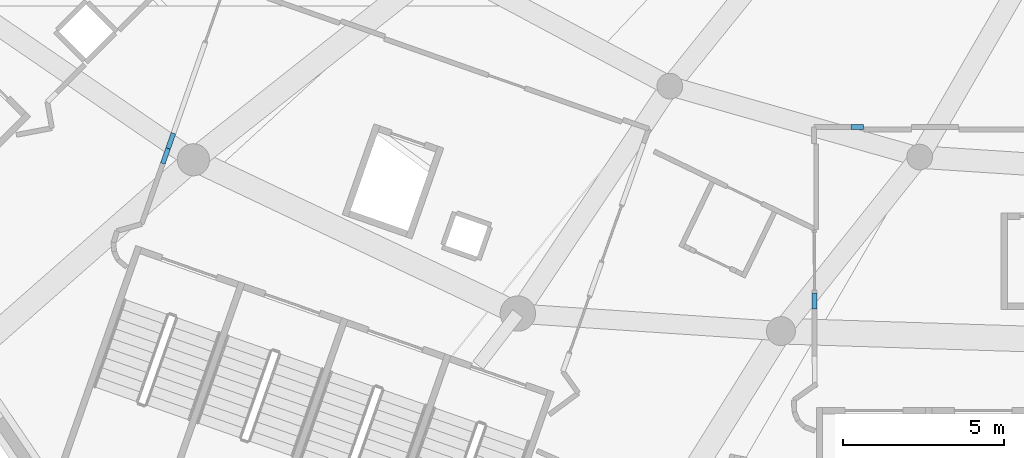
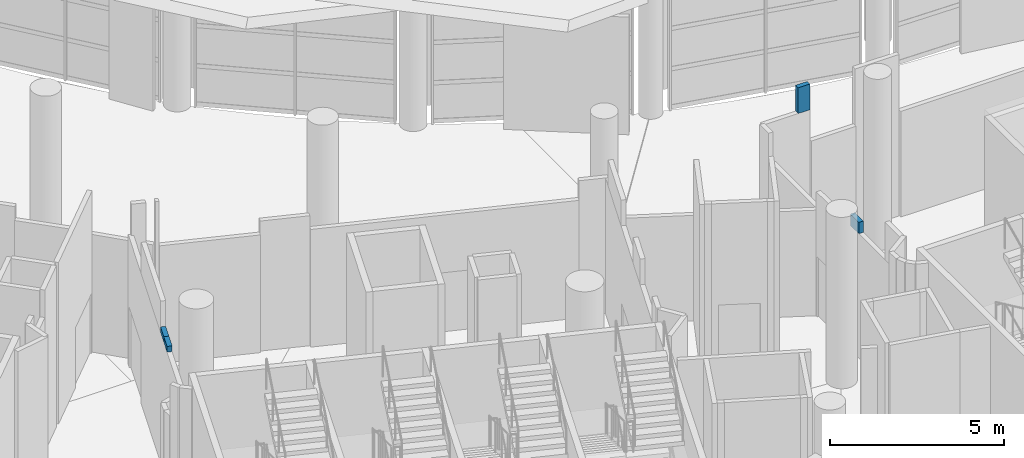
# One storey, part 178 of 249: 4 walls.
"""IFC4 building model written with IfcOpenShell, lengths in metres."""

from ifc_helpers import new_model, si_unit, direction, frame, frame_2d, origin, place, context, subcontext, project, spatial, rectangle, extrude, material, layer, layer_set, type_object, element, save


model = new_model("IFC4")

# Units and contexts
model_context = context("Model", 3, precision=1e-05, world=origin(), true_north=direction((0.0, 1.0)))
body_context = subcontext(model_context, "Body", "Model", "MODEL_VIEW")
ifc_project = project(units=[si_unit("LENGTHUNIT", "METRE"), si_unit("AREAUNIT", "SQUARE_METRE"), si_unit("VOLUMEUNIT", "CUBIC_METRE"), si_unit("PLANEANGLEUNIT", "RADIAN"), si_unit("MASSUNIT", "GRAM", prefix="KILO")], contexts=[model_context])

# Site, building, storey
site_placement = place(None, origin())
site = spatial("IfcSite", under=ifc_project, at=site_placement, CompositionType="ELEMENT")
building_placement = place(site_placement, origin())
building = spatial("IfcBuilding", under=site, at=building_placement, Name="Meseta Stadium", CompositionType="ELEMENT")
storey_placement = place(building_placement, frame((0.0, 0.0, 12.0)))
storey = spatial("IfcBuildingStorey", under=building, at=storey_placement, Name="L02", CompositionType="ELEMENT", Elevation=12.0)

# Walls
ifc_material = material(Name="Masonry blockwork", Category="masonry")
ifc_layer = layer(ifc_material, 0.14990234375)
ifc_layer_set = layer_set([ifc_layer], Name="Partition 150")
wall_type = type_object("IfcWallType", Name="Partition 150", PredefinedType="PARTITIONING", material=ifc_layer_set)
wall_1_placement = place(storey_placement, frame((-65.243408203125, -83.966796875, 4.550048828125), z_axis=(0.0, 0.0, 1.0), x_axis=(-0.330285037143, -0.943881239479, 0.0)))
element("IfcWall", 1, at=wall_1_placement, inside=storey, type_object=wall_type, Name="Stair vestibule wall L02 core 22", PredefinedType="PARTITIONING", context=body_context, shape_type="SweptSolid", body=[
    extrude(rectangle(XDim=0.4990234375, YDim=0.14990234375, at=frame_2d((0.24951171875, 0.0))), origin(), (0.0, 0.0, 1.0), 0.199951171875),
])
wall_2_placement = place(storey_placement, frame((-65.408203125, -84.437744140625, 4.550048828125), z_axis=(0.0, 0.0, 1.0), x_axis=(-0.330437645991, -0.9438278244, 0.0)))
element("IfcWall", 2, at=wall_2_placement, inside=storey, type_object=wall_type, Name="Stair vestibule wall L02 core 22", PredefinedType="PARTITIONING", context=body_context, shape_type="SweptSolid", body=[
    extrude(rectangle(XDim=0.498779296875, YDim=0.14990234375, at=frame_2d((0.24951171875, 0.0))), origin(), (0.0, 0.0, 1.0), 0.199951171875),
])
wall_3_placement = place(storey_placement, frame((-43.764892578125, -83.776123046875, 4.75), z_axis=(0.0, 0.0, 1.0), x_axis=(-1.0, 0.0, 0.0)))
element("IfcWall", 3, at=wall_3_placement, inside=storey, type_object=wall_type, Name="Stair vestibule wall L02 core 23", PredefinedType="PARTITIONING", context=body_context, shape_type="SweptSolid", body=[
    extrude(rectangle(XDim=0.3857421875, YDim=0.14990234375, at=frame_2d((0.19287109375, 0.0))), origin(), (0.0, 0.0, 1.0), 0.89990234375),
])
wall_4_placement = place(storey_placement, frame((-45.290771484375, -88.94189453125, 4.35009765625), z_axis=(0.0, 0.0, 1.0), x_axis=(0.003479104192, -0.999993947899, 0.0)))
element("IfcWall", 4, at=wall_4_placement, inside=storey, type_object=wall_type, Name="Stair vestibule wall L02 core 23", PredefinedType="PARTITIONING", context=body_context, shape_type="SweptSolid", body=[
    extrude(rectangle(XDim=0.4912109375, YDim=0.14990234375, at=frame_2d((0.24560546875, 0.0))), origin(), (0.0, 0.0, 1.0), 0.39990234375),
])

save(model, "model.ifc")
